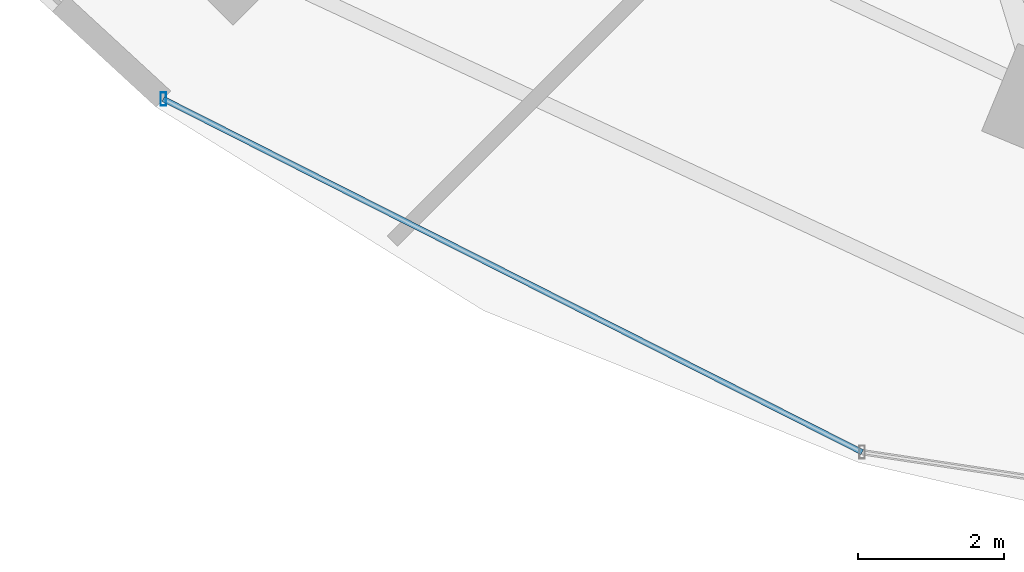
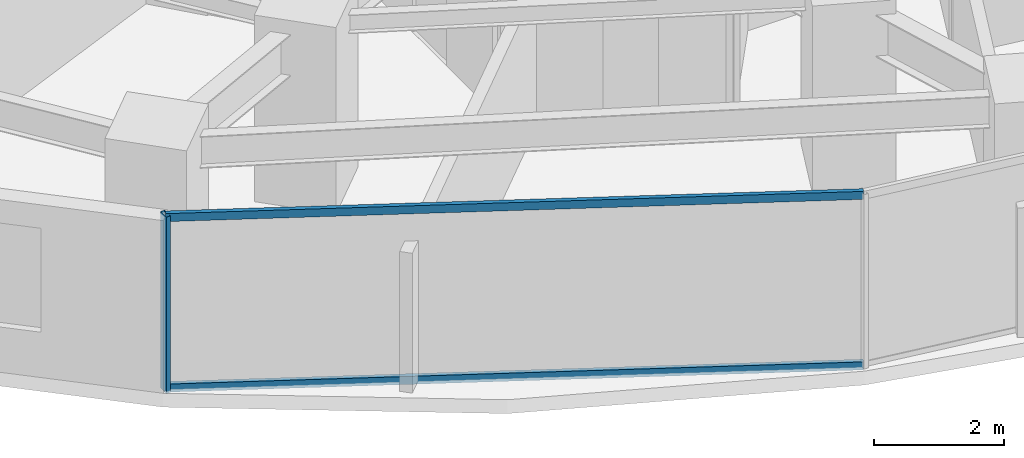
# One storey, part 2 of 34: 3 members, 1 element without a shape of its own.
"""IFC4 building model written with IfcOpenShell, lengths in metres."""

from ifc_helpers import new_model, si_unit, direction, frame, origin, origin_2d, place, context, subcontext, project, spatial, hollow_rectangle, extrude, material, material_profile, profile_set, type_object, element, aggregate, save


model = new_model("IFC4")

# Units and contexts
model_context = context("Model", 3, precision=1e-05, world=origin(), true_north=direction((0.0, 1.0)))
body_context = subcontext(model_context, "Body", "Model", "MODEL_VIEW")
ifc_project = project(units=[si_unit("LENGTHUNIT", "METRE"), si_unit("AREAUNIT", "SQUARE_METRE"), si_unit("VOLUMEUNIT", "CUBIC_METRE"), si_unit("PLANEANGLEUNIT", "RADIAN"), si_unit("MASSUNIT", "GRAM", prefix="KILO")], contexts=[model_context])

# Site, building, storey
site_placement = place(None, origin())
site = spatial("IfcSite", under=ifc_project, at=site_placement, CompositionType="ELEMENT")
building_placement = place(site_placement, origin())
building = spatial("IfcBuilding", under=site, at=building_placement, Name="Vorneva Point Tower", CompositionType="ELEMENT")
storey_placement = place(building_placement, frame((0.0, 0.0, 27.5)))
storey = spatial("IfcBuildingStorey", under=building, at=storey_placement, Name="L06", CompositionType="ELEMENT", Elevation=27.5)

# Curtain wall, members
ifc_material = material(Name="Pale anodised aluminium", Category="aluminium")
curtain_wall_type = type_object("IfcCurtainWallType", Name="CW-HTL-SYS", PredefinedType="NOTDEFINED", material=ifc_material)
curtain_wall_placement = place(storey_placement, origin())
curtain_wall = element("IfcCurtainWall", 1, at=curtain_wall_placement, inside=storey, type_object=curtain_wall_type, Name="L06 Unitised Curtain Wall CW-L06-R04", PredefinedType="NOTDEFINED")
ifc_material_profile_1 = material_profile(ifc_material, hollow_rectangle(XDim=0.074951171875, YDim=0.179931640625, WallThickness=0.00390625, at=origin_2d()), Name="AL-MUL 180x75x4")
ifc_profile_set_1 = profile_set([ifc_material_profile_1], Name="Pale anodised aluminium")
member_type_1 = type_object("IfcMemberType", Name="CW-MUL-180", PredefinedType="MULLION", material=ifc_profile_set_1)
member_1_placement = place(storey_placement, frame((17.10498046875, 10.1962890625, -0.0400390625), z_axis=(0.0, 0.0, 1.0), x_axis=(1.0, 0.0, 0.0)))
member_1 = element("IfcMember", 2, at=member_1_placement, type_object=member_type_1, Name="CW-L06-R04 Mullion 01", PredefinedType="MULLION", context=body_context, shape_type="SweptSolid", body=[
    extrude(hollow_rectangle(XDim=0.074951171875, YDim=0.179931640625, WallThickness=0.00390625, at=origin_2d()), origin(), (0.0, 0.0, 1.0), 3.31005859375),
])
ifc_material_profile_2 = material_profile(ifc_material, hollow_rectangle(XDim=0.074951171875, YDim=0.14990234375, WallThickness=0.00390625, at=origin_2d()), Name="AL-TRN 150x75x4")
ifc_profile_set_2 = profile_set([ifc_material_profile_2], Name="Pale anodised aluminium")
member_type_2 = type_object("IfcMemberType", Name="CW-TRN-150", PredefinedType="USERDEFINED", material=ifc_profile_set_2)
member_2_placement = place(storey_placement, frame((17.10498046875, 10.1962890625, 0.02001953125), z_axis=(0.892496057621, -0.451055192999, 0.0), x_axis=(0.451055192999, 0.892496057621, 0.0)))
member_2 = element("IfcMember", 3, at=member_2_placement, type_object=member_type_2, Name="CW-L06-R04 Transom 01.1", ObjectType="TRANSOM", PredefinedType="USERDEFINED", context=body_context, shape_type="SweptSolid", body=[
    extrude(hollow_rectangle(XDim=0.074951171875, YDim=0.14990234375, WallThickness=0.00390625, at=origin_2d()), origin(), (0.0, 0.0, 1.0), 10.741455078125),
])
member_3_placement = place(storey_placement, frame((17.10498046875, 10.1962890625, 3.219970703125), z_axis=(0.892496057621, -0.451055192999, 0.0), x_axis=(0.451055192999, 0.892496057621, 0.0)))
member_3 = element("IfcMember", 4, at=member_3_placement, type_object=member_type_2, Name="CW-L06-R04 Transom 01.2", ObjectType="TRANSOM", PredefinedType="USERDEFINED", context=body_context, shape_type="SweptSolid", body=[
    extrude(hollow_rectangle(XDim=0.074951171875, YDim=0.14990234375, WallThickness=0.00390625, at=origin_2d()), origin(), (0.0, 0.0, 1.0), 10.741455078125),
])
aggregate(curtain_wall, [member_1, member_2, member_3])

save(model, "model.ifc")
